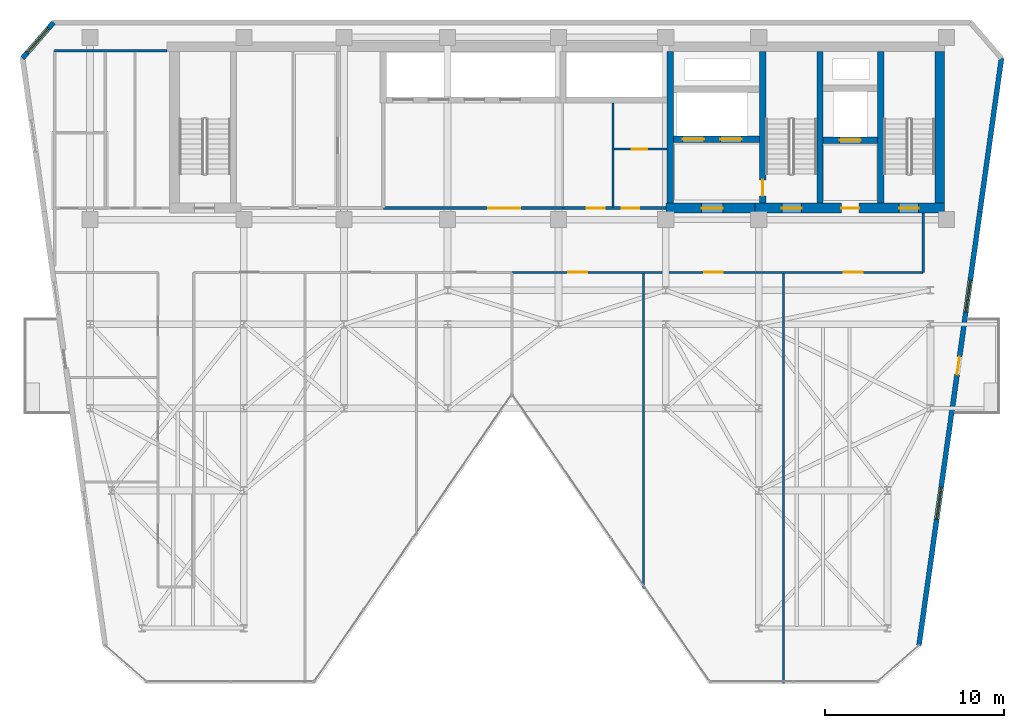
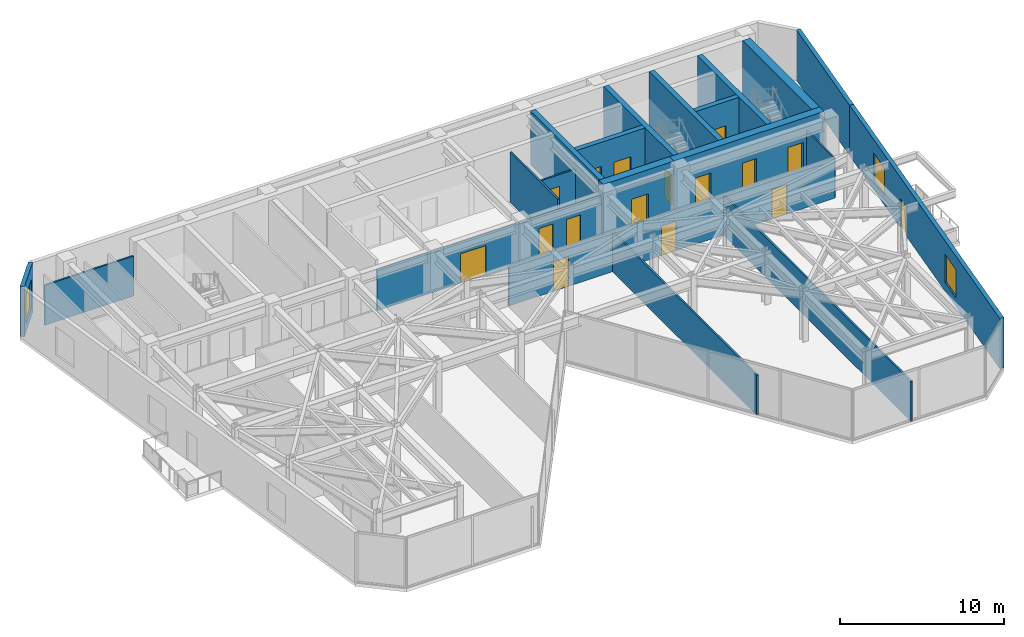
# One storey, part 17 of 21: 21 walls, 16 doors, 3 windows, 19 openings.
"""IFC4 building model written with IfcOpenShell, lengths in metres."""

from ifc_helpers import new_model, si_unit, direction, frame, frame_2d, origin, place, context, subcontext, project, spatial, rectangle, extrude, material, layer, layer_set, type_object, element, fill, save


model = new_model("IFC4")

# Units and contexts
model_context = context("Model", 3, precision=1e-05, world=origin(), true_north=direction((0.0, 1.0)))
body_context = subcontext(model_context, "Body", "Model", "MODEL_VIEW")
ifc_project = project(units=[si_unit("LENGTHUNIT", "METRE"), si_unit("AREAUNIT", "SQUARE_METRE"), si_unit("VOLUMEUNIT", "CUBIC_METRE"), si_unit("PLANEANGLEUNIT", "RADIAN"), si_unit("MASSUNIT", "GRAM", prefix="KILO")], contexts=[model_context])

# Site, building, storey
site_placement = place(None, origin())
site = spatial("IfcSite", under=ifc_project, at=site_placement, CompositionType="ELEMENT")
building_placement = place(site_placement, origin())
building = spatial("IfcBuilding", under=site, at=building_placement, Name="Kravanh Interchange Tower", CompositionType="ELEMENT")
storey_placement = place(building_placement, frame((0.0, 0.0, 192.5)))
storey = spatial("IfcBuildingStorey", under=building, at=storey_placement, Name="L46", CompositionType="ELEMENT", Elevation=192.5)

# Wall
ifc_material_1 = material(Name="Double Acoustic Gypsum Board and Mineral Wool")
ifc_layer_1 = layer(ifc_material_1, 0.1201171875)
ifc_layer_set_1 = layer_set([ifc_layer_1], Name="Acoustic Office Drywall Partition 120mm")
wall_type_1 = type_object("IfcWallType", Name="Acoustic Office Drywall Partition 120mm", PredefinedType="PARTITIONING", material=ifc_layer_set_1)
wall_1_placement = place(storey_placement, frame((47.85009765625, 38.068115234375, 0.0), z_axis=(0.0, 0.0, 1.0), x_axis=(0.0, 1.0, 0.0)))
element("IfcWall", 1, at=wall_1_placement, inside=storey, type_object=wall_type_1, Name="L46 Interior Partition 2", PredefinedType="PARTITIONING", context=body_context, shape_type="SweptSolid", body=[
    extrude(rectangle(XDim=5.798828125, YDim=0.1201171875, at=frame_2d((2.8994140625, 0.0))), origin(), (0.0, 0.0, 1.0), 3.7548828125),
])

# Wall, opening, door
wall_2_placement = place(storey_placement, frame((47.91796875, 41.300048828125, 0.0), z_axis=(0.0, 0.0, 1.0), x_axis=(1.0, 0.0, 0.0)))
wall_2 = element("IfcWall", 2, at=wall_2_placement, inside=storey, type_object=wall_type_1, Name="L46 Interior Partition 3", PredefinedType="PARTITIONING", context=body_context, shape_type="SweptSolid", body=[
    extrude(rectangle(XDim=2.948974609375, YDim=0.1201171875, at=frame_2d((1.474609375, 0.0))), origin(), (0.0, 0.0, 1.0), 2.98193359375),
])
opening_1_placement = place(wall_2_placement, frame((0.9912109375, 0.0, 0.0)))
opening_1 = element("IfcOpeningElement", 3, at=opening_1_placement, cuts=wall_2, Name="Opening D-85", PredefinedType="OPENING", context=body_context, shape_type="SweptSolid", body=[
    extrude(rectangle(XDim=0.85009765625, YDim=2.10009765625, at=frame_2d((0.425048828125, 1.050048828125))), frame((0.0, 0.070068359375, 0.0), z_axis=(0.0, -1.0, 0.0), x_axis=(1.0, 0.0, 0.0)), (0.0, 0.0, 1.0), 0.14013671875),
])
ifc_material_2 = material(Name="Engineered Teak Veneer Timber", Category="wood")
door_type_1 = type_object("IfcDoorType", Name="En-Suite Timber Door 850x2100", OperationType="NOTDEFINED", PredefinedType="DOOR", material=ifc_material_2)
door_1_placement = place(opening_1_placement, origin())
door_1 = element("IfcDoor", 4, at=door_1_placement, inside=storey, type_object=door_type_1, Name="L46 Core Supply Inner Door", OperationType="SINGLE_SWING_RIGHT", OverallHeight=2.10009765625, OverallWidth=0.85009765625, PredefinedType="DOOR", context=body_context, shape_type="SweptSolid", body=[
    extrude(rectangle(XDim=0.85009765625, YDim=2.10009765625, at=frame_2d((0.425048828125, 1.050048828125))), frame((0.0, 0.02490234375, 0.0), z_axis=(0.0, -1.0, 0.0), x_axis=(1.0, 0.0, 0.0)), (0.0, 0.0, 1.0), 0.050048828125),
])
fill(opening_1, door_1)

# Wall
wall_3_placement = place(storey_placement, frame((16.6201171875, 46.800048828125, 0.0), z_axis=(0.0, 0.0, 1.0), x_axis=(1.0, 0.0, 0.0)))
element("IfcWall", 5, at=wall_3_placement, inside=storey, type_object=wall_type_1, Name="L46 Restroom North Enclosure 11", PredefinedType="PARTITIONING", context=body_context, shape_type="SweptSolid", body=[
    extrude(rectangle(XDim=6.27978515625, YDim=0.1201171875, at=frame_2d((3.139892578125, 0.0))), origin(), (0.0, 0.0, 1.0), 2.98193359375),
])

# Wall, openings, doors
wall_4_placement = place(storey_placement, frame((42.199951171875, 34.39990234375, 0.0), z_axis=(0.0, 0.0, 1.0), x_axis=(1.0, 0.0, 0.0)))
wall_4 = element("IfcWall", 6, at=wall_4_placement, inside=storey, type_object=wall_type_1, Name="L46 Interior Partition 17", PredefinedType="PARTITIONING", context=body_context, shape_type="SweptSolid", body=[
    extrude(rectangle(XDim=23.0, YDim=0.1201171875, at=frame_2d((11.5, 0.0))), origin(), (0.0, 0.0, 1.0), 2.98193359375),
])
opening_2_placement = place(wall_4_placement, frame((3.155029296875, 0.0, 0.0)))
opening_2 = element("IfcOpeningElement", 7, at=opening_2_placement, cuts=wall_4, Name="Opening D-105", PredefinedType="OPENING", context=body_context, shape_type="SweptSolid", body=[
    extrude(rectangle(XDim=1.050048828125, YDim=2.199951171875, at=frame_2d((0.52490234375, 1.10009765625))), frame((0.0, 0.070068359375, 0.0), z_axis=(0.0, -1.0, 0.0), x_axis=(1.0, 0.0, 0.0)), (0.0, 0.0, 1.0), 0.14013671875),
])
opening_3_placement = place(wall_4_placement, frame((10.7451171875, 0.0, 0.0)))
opening_3 = element("IfcOpeningElement", 8, at=opening_3_placement, cuts=wall_4, Name="Opening D-105", PredefinedType="OPENING", context=body_context, shape_type="SweptSolid", body=[
    extrude(rectangle(XDim=1.050048828125, YDim=2.199951171875, at=frame_2d((0.52490234375, 1.10009765625))), frame((0.0, 0.070068359375, 0.0), z_axis=(0.0, -1.0, 0.0), x_axis=(1.0, 0.0, 0.0)), (0.0, 0.0, 1.0), 0.14013671875),
])
opening_4_placement = place(wall_4_placement, frame((18.56494140625, 0.0, 0.0)))
opening_4 = element("IfcOpeningElement", 9, at=opening_4_placement, cuts=wall_4, Name="Opening D-105", PredefinedType="OPENING", context=body_context, shape_type="SweptSolid", body=[
    extrude(rectangle(XDim=1.050048828125, YDim=2.199951171875, at=frame_2d((0.52490234375, 1.10009765625))), frame((0.0, 0.070068359375, 0.0), z_axis=(0.0, -1.0, 0.0), x_axis=(1.0, 0.0, 0.0)), (0.0, 0.0, 1.0), 0.14013671875),
])
ifc_material_3 = material(Name="Acoustic Glazed Oak and Aluminium", Category="aluminium")
door_type_2 = type_object("IfcDoorType", Name="Office Workplace Door 1050x2200", OperationType="NOTDEFINED", PredefinedType="DOOR", material=ifc_material_3)
door_2_placement = place(opening_2_placement, origin())
door_2 = element("IfcDoor", 10, at=door_2_placement, inside=storey, type_object=door_type_2, Name="L46 Meeting Room 11C Door", OperationType="SINGLE_SWING_LEFT", OverallHeight=2.199951171875, OverallWidth=1.050048828125, PredefinedType="DOOR", context=body_context, shape_type="SweptSolid", body=[
    extrude(rectangle(XDim=1.050048828125, YDim=2.199951171875, at=frame_2d((0.52490234375, 1.10009765625))), frame((0.0, 0.02490234375, 0.0), z_axis=(0.0, -1.0, 0.0), x_axis=(1.0, 0.0, 0.0)), (0.0, 0.0, 1.0), 0.050048828125),
])
fill(opening_2, door_2)
door_3_placement = place(opening_3_placement, origin())
door_3 = element("IfcDoor", 11, at=door_3_placement, inside=storey, type_object=door_type_2, Name="L46 Meeting Room 11D Door", OperationType="SINGLE_SWING_RIGHT", OverallHeight=2.199951171875, OverallWidth=1.050048828125, PredefinedType="DOOR", context=body_context, shape_type="SweptSolid", body=[
    extrude(rectangle(XDim=1.050048828125, YDim=2.199951171875, at=frame_2d((0.52490234375, 1.10009765625))), frame((0.0, 0.02490234375, 0.0), z_axis=(0.0, -1.0, 0.0), x_axis=(1.0, 0.0, 0.0)), (0.0, 0.0, 1.0), 0.050048828125),
])
fill(opening_3, door_3)
door_4_placement = place(opening_4_placement, origin())
door_4 = element("IfcDoor", 12, at=door_4_placement, inside=storey, type_object=door_type_2, Name="L46 East Balcony Office 11A Door", OperationType="SINGLE_SWING_LEFT", OverallHeight=2.199951171875, OverallWidth=1.050048828125, PredefinedType="DOOR", context=body_context, shape_type="SweptSolid", body=[
    extrude(rectangle(XDim=1.050048828125, YDim=2.199951171875, at=frame_2d((0.52490234375, 1.10009765625))), frame((0.0, 0.02490234375, 0.0), z_axis=(0.0, -1.0, 0.0), x_axis=(1.0, 0.0, 0.0)), (0.0, 0.0, 1.0), 0.050048828125),
])
fill(opening_4, door_4)

# Walls
wall_5_placement = place(storey_placement, frame((65.199951171875, 34.39990234375, 0.0), z_axis=(0.0, 0.0, 1.0), x_axis=(0.0, 1.0, 0.0)))
element("IfcWall", 13, at=wall_5_placement, inside=storey, type_object=wall_type_1, Name="L46 Interior Partition 19", PredefinedType="PARTITIONING", context=body_context, shape_type="SweptSolid", body=[
    extrude(rectangle(XDim=3.317138671875, YDim=0.1201171875, at=frame_2d((1.65869140625, 0.0))), origin(), (0.0, 0.0, 1.0), 2.98193359375),
])
wall_6_placement = place(storey_placement, frame((49.56005859375, 16.720947265625, 0.0), z_axis=(0.0, 0.0, 1.0), x_axis=(0.0, 1.0, 0.0)))
element("IfcWall", 14, at=wall_6_placement, inside=storey, type_object=wall_type_1, Name="L46 Interior Partition 28", PredefinedType="PARTITIONING", context=body_context, shape_type="SweptSolid", body=[
    extrude(rectangle(XDim=17.611083984375, YDim=0.1201171875, at=frame_2d((8.8056640625, 0.0))), origin(), (0.0, 0.0, 1.0), 2.98193359375),
])
wall_7_placement = place(storey_placement, frame((57.3798828125, 11.4150390625, 0.0), z_axis=(0.0, 0.0, 1.0), x_axis=(0.0, 1.0, 0.0)))
element("IfcWall", 15, at=wall_7_placement, inside=storey, type_object=wall_type_1, Name="L46 Interior Partition 29", PredefinedType="PARTITIONING", context=body_context, shape_type="SweptSolid", body=[
    extrude(rectangle(XDim=22.9169921875, YDim=0.1201171875, at=frame_2d((11.45849609375, 0.0))), origin(), (0.0, 0.0, 1.0), 2.98193359375),
])
ifc_material_4 = material(Name="Concrete C60/75", Category="concrete")
ifc_layer_2 = layer(ifc_material_4, 0.35009765625)
ifc_layer_set_2 = layer_set([ifc_layer_2], Name="Core Shear Wall Concrete C60/75 350mm")
wall_type_2 = type_object("IfcWallType", Name="Core Shear Wall Concrete C60/75 350mm", PredefinedType="SHEAR", material=ifc_layer_set_2)
for number, where, z_axis, x_axis, name in (
    (16, (62.824951171875, 38.27490234375, 0.0), (0.0, 0.0, 1.0), (0.0, 1.0, 0.0), "L46 Stair ST1 West Shear Wall"),
    (17, (59.425048828125, 38.27490234375, 0.0), (0.0, 0.0, 1.0), (0.0, 1.0, 0.0), "L46 Stair ST2 East Shear Wall"),
):
    element("IfcWall", number, at=place(storey_placement, frame(where, z_axis=z_axis, x_axis=x_axis)), inside=storey, type_object=wall_type_2, Name=name, PredefinedType="SHEAR", context=body_context, shape_type="SweptSolid", body=[
        extrude(rectangle(XDim=8.47509765625, YDim=0.35009765625, at=frame_2d((4.237548828125, 0.0))), origin(), (0.0, 0.0, 1.0), 4.0),
    ])

# Wall, opening, door
wall_8_placement = place(storey_placement, frame((56.22509765625, 38.27490234375, 0.0), z_axis=(0.0, 0.0, 1.0), x_axis=(0.0, 1.0, 0.0)))
wall_8 = element("IfcWall", 18, at=wall_8_placement, inside=storey, type_object=wall_type_2, Name="L46 Stair ST2 West Shear Wall", PredefinedType="SHEAR", context=body_context, shape_type="SweptSolid", body=[
    extrude(rectangle(XDim=8.47509765625, YDim=0.35009765625, at=frame_2d((4.237548828125, 0.0))), origin(), (0.0, 0.0, 1.0), 4.0),
])
opening_5_placement = place(wall_8_placement, frame((0.405029296875, 0.0, 0.0)))
opening_5 = element("IfcOpeningElement", 19, at=opening_5_placement, cuts=wall_8, Name="Opening D-STAIR-90", PredefinedType="OPENING", context=body_context, shape_type="SweptSolid", body=[
    extrude(rectangle(XDim=0.89990234375, YDim=2.14990234375, at=frame_2d((0.449951171875, 1.074951171875))), frame((0.0, 0.18505859375, 0.0), z_axis=(0.0, -1.0, 0.0), x_axis=(1.0, 0.0, 0.0)), (0.0, 0.0, 1.0), 0.3701171875),
])
ifc_material_5 = material(Name="Structural Steel S355", Category="steel")
door_type_3 = type_object("IfcDoorType", Name="Fire-Rated Stair Lobby Door 900x2150", OperationType="NOTDEFINED", PredefinedType="DOOR", material=ifc_material_5)
door_5_placement = place(opening_5_placement, origin())
door_5 = element("IfcDoor", 20, at=door_5_placement, inside=storey, type_object=door_type_3, Name="L46 Firefighting Lobby to Stair ST2 Door", OperationType="SINGLE_SWING_LEFT", OverallHeight=2.14990234375, OverallWidth=0.89990234375, PredefinedType="DOOR", context=body_context, shape_type="SweptSolid", body=[
    extrude(rectangle(XDim=0.89990234375, YDim=2.14990234375, at=frame_2d((0.449951171875, 1.074951171875))), frame((0.0, 0.02490234375, 0.0), z_axis=(0.0, -1.0, 0.0), x_axis=(1.0, 0.0, 0.0)), (0.0, 0.0, 1.0), 0.050048828125),
])
fill(opening_5, door_5)

wall_9_placement = place(storey_placement, frame((59.60009765625, 41.800048828125, 0.0), z_axis=(0.0, 0.0, 1.0), x_axis=(1.0, 0.0, 0.0)))
wall_9 = element("IfcWall", 21, at=wall_9_placement, inside=storey, type_object=wall_type_2, Name="L46 Service Lift Shaft South Wall", PredefinedType="SHEAR", context=body_context, shape_type="SweptSolid", body=[
    extrude(rectangle(XDim=3.0498046875, YDim=0.35009765625, at=frame_2d((1.52490234375, 0.0))), origin(), (0.0, 0.0, 1.0), 4.0),
])
opening_6_placement = place(wall_9_placement, frame((0.919921875, 0.0, 0.0)))
opening_6 = element("IfcOpeningElement", 22, at=opening_6_placement, cuts=wall_9, Name="Opening LD02", PredefinedType="OPENING", context=body_context, shape_type="SweptSolid", body=[
    extrude(rectangle(XDim=1.199951171875, YDim=2.199951171875, at=frame_2d((0.60009765625, 1.10009765625))), frame((0.0, 0.18505859375, 0.0), z_axis=(0.0, -1.0, 0.0), x_axis=(1.0, 0.0, 0.0)), (0.0, 0.0, 1.0), 0.3701171875),
])
ifc_material_6 = material(Name="Stainless Steel 316", Category="steel")
door_type_4 = type_object("IfcDoorType", Name="Fire and Service Lift Sliding Landing Door 1200x2200", OperationType="DOUBLE_DOOR_SLIDING", PredefinedType="DOOR", material=ifc_material_6)
door_6_placement = place(opening_6_placement, origin())
door_6 = element("IfcDoor", 23, at=door_6_placement, inside=storey, type_object=door_type_4, Name="L46 Lift LS-01 Landing Door", OperationType="DOUBLE_DOOR_SLIDING", OverallHeight=2.199951171875, OverallWidth=1.199951171875, PredefinedType="DOOR", context=body_context, shape_type="SweptSolid", body=[
    extrude(rectangle(XDim=1.199951171875, YDim=2.199951171875, at=frame_2d((0.60009765625, 1.10009765625))), frame((0.0, 0.02490234375, 0.0), z_axis=(0.0, -1.0, 0.0), x_axis=(1.0, 0.0, 0.0)), (0.0, 0.0, 1.0), 0.050048828125),
])
fill(opening_6, door_6)

# Wall, openings, doors
wall_10_placement = place(storey_placement, frame((51.22509765625, 41.85009765625, 0.0), z_axis=(0.0, 0.0, 1.0), x_axis=(1.0, 0.0, 0.0)))
wall_10 = element("IfcWall", 24, at=wall_10_placement, inside=storey, type_object=wall_type_2, Name="L46 Fire Lift Shaft South Wall", PredefinedType="SHEAR", context=body_context, shape_type="SweptSolid", body=[
    extrude(rectangle(XDim=4.824951171875, YDim=0.35009765625, at=frame_2d((2.41259765625, 0.0))), origin(), (0.0, 0.0, 1.0), 4.0),
])
opening_7_placement = place(wall_10_placement, frame((0.52490234375, 0.0, 0.0)))
opening_7 = element("IfcOpeningElement", 25, at=opening_7_placement, cuts=wall_10, Name="Opening LD02", PredefinedType="OPENING", context=body_context, shape_type="SweptSolid", body=[
    extrude(rectangle(XDim=1.199951171875, YDim=2.199951171875, at=frame_2d((0.60009765625, 1.10009765625))), frame((0.0, 0.18505859375, 0.0), z_axis=(0.0, -1.0, 0.0), x_axis=(1.0, 0.0, 0.0)), (0.0, 0.0, 1.0), 0.3701171875),
])
opening_8_placement = place(wall_10_placement, frame((2.625, 0.0, 0.0)))
opening_8 = element("IfcOpeningElement", 26, at=opening_8_placement, cuts=wall_10, Name="Opening LD02", PredefinedType="OPENING", context=body_context, shape_type="SweptSolid", body=[
    extrude(rectangle(XDim=1.199951171875, YDim=2.199951171875, at=frame_2d((0.60009765625, 1.10009765625))), frame((0.0, 0.18505859375, 0.0), z_axis=(0.0, -1.0, 0.0), x_axis=(1.0, 0.0, 0.0)), (0.0, 0.0, 1.0), 0.3701171875),
])
door_7_placement = place(opening_7_placement, origin())
door_7 = element("IfcDoor", 27, at=door_7_placement, inside=storey, type_object=door_type_4, Name="L46 Lift FSAE-01 Landing Door", OperationType="DOUBLE_DOOR_SLIDING", OverallHeight=2.199951171875, OverallWidth=1.199951171875, PredefinedType="DOOR", context=body_context, shape_type="SweptSolid", body=[
    extrude(rectangle(XDim=1.199951171875, YDim=2.199951171875, at=frame_2d((0.60009765625, 1.10009765625))), frame((0.0, 0.02490234375, 0.0), z_axis=(0.0, -1.0, 0.0), x_axis=(1.0, 0.0, 0.0)), (0.0, 0.0, 1.0), 0.050048828125),
])
fill(opening_7, door_7)
door_8_placement = place(opening_8_placement, origin())
door_8 = element("IfcDoor", 28, at=door_8_placement, inside=storey, type_object=door_type_4, Name="L46 Lift FSAE-02 Landing Door", OperationType="DOUBLE_DOOR_SLIDING", OverallHeight=2.199951171875, OverallWidth=1.199951171875, PredefinedType="DOOR", context=body_context, shape_type="SweptSolid", body=[
    extrude(rectangle(XDim=1.199951171875, YDim=2.199951171875, at=frame_2d((0.60009765625, 1.10009765625))), frame((0.0, 0.02490234375, 0.0), z_axis=(0.0, -1.0, 0.0), x_axis=(1.0, 0.0, 0.0)), (0.0, 0.0, 1.0), 0.050048828125),
])
fill(opening_8, door_8)

# Wall
wall_11_placement = place(storey_placement, frame((51.050048828125, 38.27490234375, 0.0), z_axis=(0.0, 0.0, 1.0), x_axis=(0.0, 1.0, 0.0)))
element("IfcWall", 29, at=wall_11_placement, inside=storey, type_object=wall_type_2, Name="L46 Firefighting Lobby West Wall", PredefinedType="SHEAR", context=body_context, shape_type="SweptSolid", body=[
    extrude(rectangle(XDim=8.47509765625, YDim=0.35009765625, at=frame_2d((4.237548828125, 0.0))), origin(), (0.0, 0.0, 1.0), 4.0),
])

# Wall, openings, doors
ifc_material_7 = material(Name="Concrete C70/85", Category="concrete")
ifc_layer_3 = layer(ifc_material_7, 0.550048828125)
ifc_layer_set_3 = layer_set([ifc_layer_3], Name="Core Shear Wall Concrete C70/85 550mm")
wall_type_3 = type_object("IfcWallType", Name="Core Shear Wall Concrete C70/85 550mm", PredefinedType="SHEAR", material=ifc_layer_set_3)
wall_12_placement = place(storey_placement, frame((55.800048828125, 38.0, 0.0), z_axis=(0.0, 0.0, 1.0), x_axis=(1.0, 0.0, 0.0)))
wall_12 = element("IfcWall", 30, at=wall_12_placement, inside=storey, type_object=wall_type_3, Name="L46 East Core South Shear Wall", PredefinedType="SHEAR", context=body_context, shape_type="SweptSolid", body=[
    extrude(rectangle(XDim=10.599853515625, YDim=0.550048828125, at=frame_2d((5.2998046875, 0.0))), origin(), (0.0, 0.0, 1.0), 4.0),
])
opening_9_placement = place(wall_12_placement, frame((1.5, 0.0, 0.0)))
opening_9 = element("IfcOpeningElement", 31, at=opening_9_placement, cuts=wall_12, Name="Opening D-STAIR-110", PredefinedType="OPENING", context=body_context, shape_type="SweptSolid", body=[
    extrude(rectangle(XDim=1.10009765625, YDim=2.199951171875, at=frame_2d((0.550048828125, 1.10009765625))), frame((0.0, 0.28515625, 0.0), z_axis=(0.0, -1.0, 0.0), x_axis=(1.0, 0.0, 0.0)), (0.0, 0.0, 1.0), 0.570068359375),
])
opening_10_placement = place(wall_12_placement, frame((4.820068359375, 0.0, 0.0)))
opening_10 = element("IfcOpeningElement", 32, at=opening_10_placement, cuts=wall_12, Name="Opening D-HOTEL-100", PredefinedType="OPENING", context=body_context, shape_type="SweptSolid", body=[
    extrude(rectangle(XDim=1.0, YDim=2.14990234375, at=frame_2d((0.5, 1.074951171875))), frame((0.0, 0.28515625, 0.0), z_axis=(0.0, -1.0, 0.0), x_axis=(1.0, 0.0, 0.0)), (0.0, 0.0, 1.0), 0.570068359375),
])
opening_11_placement = place(wall_12_placement, frame((8.050048828125, 0.0, 0.0)))
opening_11 = element("IfcOpeningElement", 33, at=opening_11_placement, cuts=wall_12, Name="Opening D-STAIR-110", PredefinedType="OPENING", context=body_context, shape_type="SweptSolid", body=[
    extrude(rectangle(XDim=1.10009765625, YDim=2.199951171875, at=frame_2d((0.550048828125, 1.10009765625))), frame((0.0, 0.28515625, 0.0), z_axis=(0.0, -1.0, 0.0), x_axis=(1.0, 0.0, 0.0)), (0.0, 0.0, 1.0), 0.570068359375),
])
ifc_material_8 = material(Name="Structural Steel S355", Category="steel")
door_type_5 = type_object("IfcDoorType", Name="Fire-Rated Exit Stair Door 1100x2200", OperationType="NOTDEFINED", PredefinedType="DOOR", material=ifc_material_8)
door_9_placement = place(opening_9_placement, origin())
door_9 = element("IfcDoor", 34, at=door_9_placement, inside=storey, type_object=door_type_5, Name="L46 Exit Stair ST2 Door", OperationType="SINGLE_SWING_RIGHT", OverallHeight=2.199951171875, OverallWidth=1.10009765625, PredefinedType="DOOR", context=body_context, shape_type="SweptSolid", body=[
    extrude(rectangle(XDim=1.10009765625, YDim=2.199951171875, at=frame_2d((0.550048828125, 1.10009765625))), frame((0.0, 0.02490234375, 0.0), z_axis=(0.0, -1.0, 0.0), x_axis=(1.0, 0.0, 0.0)), (0.0, 0.0, 1.0), 0.050048828125),
])
fill(opening_9, door_9)
door_10_placement = place(opening_11_placement, origin())
door_10 = element("IfcDoor", 35, at=door_10_placement, inside=storey, type_object=door_type_5, Name="L46 Exit Stair ST1 Door", OperationType="SINGLE_SWING_RIGHT", OverallHeight=2.199951171875, OverallWidth=1.10009765625, PredefinedType="DOOR", context=body_context, shape_type="SweptSolid", body=[
    extrude(rectangle(XDim=1.10009765625, YDim=2.199951171875, at=frame_2d((0.550048828125, 1.10009765625))), frame((0.0, 0.02490234375, 0.0), z_axis=(0.0, -1.0, 0.0), x_axis=(1.0, 0.0, 0.0)), (0.0, 0.0, 1.0), 0.050048828125),
])
fill(opening_11, door_10)
ifc_material_9 = material(Name="Fire-Rated Solid Timber Leaf", Category="wood")
door_type_6 = type_object("IfcDoorType", Name="Fire-Rated Suite Entrance Door 1000x2150", OperationType="NOTDEFINED", PredefinedType="DOOR", material=ifc_material_9)
door_11_placement = place(opening_10_placement, origin())
door_11 = element("IfcDoor", 36, at=door_11_placement, inside=storey, type_object=door_type_6, Name="L46 Service Lift Lobby Door", OperationType="SINGLE_SWING_RIGHT", OverallHeight=2.14990234375, OverallWidth=1.0, PredefinedType="DOOR", context=body_context, shape_type="SweptSolid", body=[
    extrude(rectangle(XDim=1.0, YDim=2.14990234375, at=frame_2d((0.5, 1.074951171875))), frame((0.0, 0.02490234375, 0.0), z_axis=(0.0, -1.0, 0.0), x_axis=(1.0, 0.0, 0.0)), (0.0, 0.0, 1.0), 0.050048828125),
])
fill(opening_10, door_11)

# Wall
wall_13_placement = place(storey_placement, frame((66.125, 38.27490234375, 0.0), z_axis=(0.0, 0.0, 1.0), x_axis=(0.0, 1.0, 0.0)))
element("IfcWall", 37, at=wall_13_placement, inside=storey, type_object=wall_type_3, Name="L46 Stair ST1 East Shear Wall", PredefinedType="SHEAR", context=body_context, shape_type="SweptSolid", body=[
    extrude(rectangle(XDim=8.47509765625, YDim=0.550048828125, at=frame_2d((4.237548828125, 0.0))), origin(), (0.0, 0.0, 1.0), 4.0),
])

# Wall, opening, door
wall_14_placement = place(storey_placement, frame((50.800048828125, 38.0, 0.0), z_axis=(0.0, 0.0, 1.0), x_axis=(1.0, 0.0, 0.0)))
wall_14 = element("IfcWall", 38, at=wall_14_placement, inside=storey, type_object=wall_type_3, Name="L46 Firefighting Lobby South Shear Wall", PredefinedType="SHEAR", context=body_context, shape_type="SweptSolid", body=[
    extrude(rectangle(XDim=5.0, YDim=0.550048828125, at=frame_2d((2.5, 0.0))), origin(), (0.0, 0.0, 1.0), 4.0),
])
opening_12_placement = place(wall_14_placement, frame((2.0, 0.0, 0.0)))
opening_12 = element("IfcOpeningElement", 39, at=opening_12_placement, cuts=wall_14, Name="Opening D-FSAE-120", PredefinedType="OPENING", context=body_context, shape_type="SweptSolid", body=[
    extrude(rectangle(XDim=1.199951171875, YDim=2.199951171875, at=frame_2d((0.60009765625, 1.10009765625))), frame((0.0, 0.28515625, 0.0), z_axis=(0.0, -1.0, 0.0), x_axis=(1.0, 0.0, 0.0)), (0.0, 0.0, 1.0), 0.570068359375),
])
ifc_material_10 = material(Name="Structural Steel S355", Category="steel")
door_type_7 = type_object("IfcDoorType", Name="Fire-Rated Refuge and FSAE Door 1200x2200", OperationType="NOTDEFINED", PredefinedType="DOOR", material=ifc_material_10)
door_12_placement = place(opening_12_placement, origin())
door_12 = element("IfcDoor", 40, at=door_12_placement, inside=storey, type_object=door_type_7, Name="L46 Firefighting Lobby Corridor Door", OperationType="SINGLE_SWING_RIGHT", OverallHeight=2.199951171875, OverallWidth=1.199951171875, PredefinedType="DOOR", context=body_context, shape_type="SweptSolid", body=[
    extrude(rectangle(XDim=1.199951171875, YDim=2.199951171875, at=frame_2d((0.60009765625, 1.10009765625))), frame((0.0, 0.02490234375, 0.0), z_axis=(0.0, -1.0, 0.0), x_axis=(1.0, 0.0, 0.0)), (0.0, 0.0, 1.0), 0.050048828125),
])
fill(opening_12, door_12)

# Wall, opening, window
ifc_material_11 = material(Name="Insulated Precast Concrete C40/50 with Bronze Cladding", Category="concrete")
ifc_layer_4 = layer(ifc_material_11, 0.280029296875)
ifc_layer_set_4 = layer_set([ifc_layer_4], Name="Exterior Insulated Concrete C40/50 Bronze Spandrel Wall 280mm")
wall_type_4 = type_object("IfcWallType", Name="Exterior Insulated Concrete C40/50 Bronze Spandrel Wall 280mm", PredefinedType="STANDARD", material=ifc_layer_set_4)
wall_15_placement = place(storey_placement, frame((14.818603515625, 46.3828125, 0.0), z_axis=(0.0, 0.0, 1.0), x_axis=(0.656071351282, 0.754698868442, 0.0)))
wall_15 = element("IfcWall", 41, at=wall_15_placement, inside=storey, type_object=wall_type_4, Name="L46 Exterior Wall 3", PredefinedType="STANDARD", context=body_context, shape_type="SweptSolid", body=[
    extrude(rectangle(XDim=2.646240234375, YDim=0.280029296875, at=frame_2d((1.3232421875, 0.0))), origin(), (0.0, 0.0, 1.0), 3.7548828125),
])
opening_13_placement = place(wall_15_placement, frame((0.41552734375, 0.0, 0.64990234375)))
opening_13 = element("IfcOpeningElement", 42, at=opening_13_placement, cuts=wall_15, Name="Opening WN-180X210", PredefinedType="OPENING", context=body_context, shape_type="SweptSolid", body=[
    extrude(rectangle(XDim=1.800048828125, YDim=2.10009765625, at=frame_2d((0.89990234375, 1.050048828125))), frame((0.0, 0.14990234375, 0.0), z_axis=(0.0, -1.0, 0.0), x_axis=(1.0, 0.0, 0.0)), (0.0, 0.0, 1.0), 0.300048828125),
])
ifc_material_12 = material(Name="Thermally Broken Bronze Aluminium and Low-E Glass", Category="aluminium")
window_type = type_object("IfcWindowType", Name="Tower Pier Window 1800x2100", PartitioningType="SINGLE_PANEL", PredefinedType="WINDOW", material=ifc_material_12)
window_1_placement = place(opening_13_placement, origin())
window_1 = element("IfcWindow", 43, at=window_1_placement, inside=storey, type_object=window_type, Name="L46 Corner Window 3", OverallHeight=2.10009765625, OverallWidth=1.800048828125, PartitioningType="SINGLE_PANEL", PredefinedType="WINDOW", context=body_context, shape_type="SweptSolid", body=[
    extrude(rectangle(XDim=1.800048828125, YDim=2.10009765625, at=frame_2d((0.89990234375, 1.050048828125))), frame((0.0, 0.030029296875, 0.0), z_axis=(0.0, -1.0, 0.0), x_axis=(1.0, 0.0, 0.0)), (0.0, 0.0, 1.0), 0.06005859375),
])
fill(opening_13, window_1)

# Wall
wall_16_placement = place(storey_placement, frame((69.581298828125, 46.3828125, 0.0), z_axis=(0.0, 0.0, 1.0), x_axis=(-0.13918102754, -0.990266954701, 0.0)))
element("IfcWall", 44, at=wall_16_placement, inside=storey, type_object=wall_type_4, Name="L46 Exterior Wall 6", PredefinedType="STANDARD", context=body_context, shape_type="SweptSolid", body=[
    extrude(rectangle(XDim=8.667236328125, YDim=0.280029296875, at=frame_2d((4.33349609375, 0.0))), origin(), (0.0, 0.0, 1.0), 3.7548828125),
])

# Wall, openings, door, windows
wall_17_placement = place(storey_placement, frame((68.375, 37.800048828125, 0.0), z_axis=(0.0, 0.0, 1.0), x_axis=(-0.139173290738, -0.99026804207, 0.0)))
wall_17 = element("IfcWall", 45, at=wall_17_placement, inside=storey, type_object=wall_type_4, Name="L46 Exterior Wall 7", PredefinedType="STANDARD", context=body_context, shape_type="SweptSolid", body=[
    extrude(rectangle(XDim=24.497802734375, YDim=0.280029296875, at=frame_2d((12.2490234375, 0.0))), origin(), (0.0, 0.0, 1.0), 3.7548828125),
])
opening_14_placement = place(wall_17_placement, frame((8.197998046875, 0.0, 0.0)))
opening_14 = element("IfcOpeningElement", 46, at=opening_14_placement, cuts=wall_17, Name="Opening ED-BAL100", PredefinedType="OPENING", context=body_context, shape_type="SweptSolid", body=[
    extrude(rectangle(XDim=1.0, YDim=2.14990234375, at=frame_2d((0.5, 1.074951171875))), frame((0.0, 0.14990234375, 0.0), z_axis=(0.0, -1.0, 0.0), x_axis=(1.0, 0.0, 0.0)), (0.0, 0.0, 1.0), 0.300048828125),
])
opening_15_placement = place(wall_17_placement, frame((3.869140625, 0.0, 0.64990234375)))
opening_15 = element("IfcOpeningElement", 47, at=opening_15_placement, cuts=wall_17, Name="Opening WN-180X210", PredefinedType="OPENING", context=body_context, shape_type="SweptSolid", body=[
    extrude(rectangle(XDim=1.800048828125, YDim=2.10009765625, at=frame_2d((0.89990234375, 1.050048828125))), frame((0.0, 0.14990234375, 0.0), z_axis=(0.0, -1.0, 0.0), x_axis=(1.0, 0.0, 0.0)), (0.0, 0.0, 1.0), 0.300048828125),
])
opening_16_placement = place(wall_17_placement, frame((15.5712890625, 0.0, 0.64990234375)))
opening_16 = element("IfcOpeningElement", 48, at=opening_16_placement, cuts=wall_17, Name="Opening WN-180X210", PredefinedType="OPENING", context=body_context, shape_type="SweptSolid", body=[
    extrude(rectangle(XDim=1.800048828125, YDim=2.10009765625, at=frame_2d((0.89990234375, 1.050048828125))), frame((0.0, 0.14990234375, 0.0), z_axis=(0.0, -1.0, 0.0), x_axis=(1.0, 0.0, 0.0)), (0.0, 0.0, 1.0), 0.300048828125),
])
ifc_material_13 = material(Name="Thermally Broken Bronze Aluminium and Laminated Glass", Category="aluminium")
door_type_8 = type_object("IfcDoorType", Name="Balcony Glazed Door 1000x2150", OperationType="NOTDEFINED", PredefinedType="DOOR", material=ifc_material_13)
door_13_placement = place(opening_14_placement, origin())
door_13 = element("IfcDoor", 49, at=door_13_placement, inside=storey, type_object=door_type_8, Name="L46 E Tree Balcony Access Door", OperationType="SINGLE_SWING_RIGHT", OverallHeight=2.14990234375, OverallWidth=1.0, PredefinedType="DOOR", context=body_context, shape_type="SweptSolid", body=[
    extrude(rectangle(XDim=1.0, YDim=2.14990234375, at=frame_2d((0.5, 1.074951171875))), frame((0.0, 0.02490234375, 0.0), z_axis=(0.0, -1.0, 0.0), x_axis=(1.0, 0.0, 0.0)), (0.0, 0.0, 1.0), 0.050048828125),
])
fill(opening_14, door_13)
window_2_placement = place(opening_15_placement, origin())
window_2 = element("IfcWindow", 50, at=window_2_placement, inside=storey, type_object=window_type, Name="L46 Facade Window 7A", OverallHeight=2.10009765625, OverallWidth=1.800048828125, PartitioningType="SINGLE_PANEL", PredefinedType="WINDOW", context=body_context, shape_type="SweptSolid", body=[
    extrude(rectangle(XDim=1.800048828125, YDim=2.10009765625, at=frame_2d((0.89990234375, 1.050048828125))), frame((0.0, 0.030029296875, 0.0), z_axis=(0.0, -1.0, 0.0), x_axis=(1.0, 0.0, 0.0)), (0.0, 0.0, 1.0), 0.06005859375),
])
fill(opening_15, window_2)
window_3_placement = place(opening_16_placement, origin())
window_3 = element("IfcWindow", 51, at=window_3_placement, inside=storey, type_object=window_type, Name="L46 Facade Window 7B", OverallHeight=2.10009765625, OverallWidth=1.800048828125, PartitioningType="SINGLE_PANEL", PredefinedType="WINDOW", context=body_context, shape_type="SweptSolid", body=[
    extrude(rectangle(XDim=1.800048828125, YDim=2.10009765625, at=frame_2d((0.89990234375, 1.050048828125))), frame((0.0, 0.030029296875, 0.0), z_axis=(0.0, -1.0, 0.0), x_axis=(1.0, 0.0, 0.0)), (0.0, 0.0, 1.0), 0.06005859375),
])
fill(opening_16, window_3)

# Wall, openings, doors
ifc_material_14 = material(Name="Autoclaved Aerated Concrete C30/37 Blockwork", Category="masonry")
ifc_layer_5 = layer(ifc_material_14, 0.179931640625)
ifc_layer_set_5 = layer_set([ifc_layer_5], Name="Fire-Rated Lobby and Corridor Wall Concrete C30/37 180mm")
wall_type_5 = type_object("IfcWallType", Name="Fire-Rated Lobby and Corridor Wall Concrete C30/37 180mm", PredefinedType="STANDARD", material=ifc_layer_set_5)
wall_18_placement = place(storey_placement, frame((45.050048828125, 38.0, 0.0), z_axis=(0.0, 0.0, 1.0), x_axis=(1.0, 0.0, 0.0)))
wall_18 = element("IfcWall", 52, at=wall_18_placement, inside=storey, type_object=wall_type_5, Name="L46 Core South Enclosure 1", PredefinedType="STANDARD", context=body_context, shape_type="SweptSolid", body=[
    extrude(rectangle(XDim=5.75, YDim=0.179931640625, at=frame_2d((2.875, 0.0))), origin(), (0.0, 0.0, 1.0), 2.98193359375),
])
opening_17_placement = place(wall_18_placement, frame((1.324951171875, 0.0, 0.0)))
opening_17 = element("IfcOpeningElement", 53, at=opening_17_placement, cuts=wall_18, Name="Opening D-HOTEL-100", PredefinedType="OPENING", context=body_context, shape_type="SweptSolid", body=[
    extrude(rectangle(XDim=1.0, YDim=2.14990234375, at=frame_2d((0.5, 1.074951171875))), frame((0.0, 0.10009765625, 0.0), z_axis=(0.0, -1.0, 0.0), x_axis=(1.0, 0.0, 0.0)), (0.0, 0.0, 1.0), 0.199951171875),
])
opening_18_placement = place(wall_18_placement, frame((3.27490234375, 0.0, 0.0)))
opening_18 = element("IfcOpeningElement", 54, at=opening_18_placement, cuts=wall_18, Name="Opening D-HOTEL-100", PredefinedType="OPENING", context=body_context, shape_type="SweptSolid", body=[
    extrude(rectangle(XDim=1.0, YDim=2.14990234375, at=frame_2d((0.5, 1.074951171875))), frame((0.0, 0.10009765625, 0.0), z_axis=(0.0, -1.0, 0.0), x_axis=(1.0, 0.0, 0.0)), (0.0, 0.0, 1.0), 0.199951171875),
])
door_14_placement = place(opening_17_placement, origin())
door_14 = element("IfcDoor", 55, at=door_14_placement, inside=storey, type_object=door_type_6, Name="L46 Core Metering Door", OperationType="SINGLE_SWING_RIGHT", OverallHeight=2.14990234375, OverallWidth=1.0, PredefinedType="DOOR", context=body_context, shape_type="SweptSolid", body=[
    extrude(rectangle(XDim=1.0, YDim=2.14990234375, at=frame_2d((0.5, 1.074951171875))), frame((0.0, 0.02490234375, 0.0), z_axis=(0.0, -1.0, 0.0), x_axis=(1.0, 0.0, 0.0)), (0.0, 0.0, 1.0), 0.050048828125),
])
fill(opening_17, door_14)
door_15_placement = place(opening_18_placement, origin())
door_15 = element("IfcDoor", 56, at=door_15_placement, inside=storey, type_object=door_type_6, Name="L46 Core Copy Room Door", OperationType="SINGLE_SWING_LEFT", OverallHeight=2.14990234375, OverallWidth=1.0, PredefinedType="DOOR", context=body_context, shape_type="SweptSolid", body=[
    extrude(rectangle(XDim=1.0, YDim=2.14990234375, at=frame_2d((0.5, 1.074951171875))), frame((0.0, 0.02490234375, 0.0), z_axis=(0.0, -1.0, 0.0), x_axis=(1.0, 0.0, 0.0)), (0.0, 0.0, 1.0), 0.050048828125),
])
fill(opening_18, door_15)

# Wall, opening, door
wall_19_placement = place(storey_placement, frame((35.0, 38.0, 0.0), z_axis=(0.0, 0.0, 1.0), x_axis=(1.0, 0.0, 0.0)))
wall_19 = element("IfcWall", 57, at=wall_19_placement, inside=storey, type_object=wall_type_5, Name="L46 Interior Partition 8", PredefinedType="STANDARD", context=body_context, shape_type="SweptSolid", body=[
    extrude(rectangle(XDim=10.050048828125, YDim=0.179931640625, at=frame_2d((5.02490234375, 0.0))), origin(), (0.0, 0.0, 1.0), 2.98193359375),
])
opening_19_placement = place(wall_19_placement, frame((5.85791015625, 0.0, 0.0)))
opening_19 = element("IfcOpeningElement", 58, at=opening_19_placement, cuts=wall_19, Name="Opening DBL-180", PredefinedType="OPENING", context=body_context, shape_type="SweptSolid", body=[
    extrude(rectangle(XDim=1.800048828125, YDim=2.199951171875, at=frame_2d((0.89990234375, 1.10009765625))), frame((0.0, 0.10009765625, 0.0), z_axis=(0.0, -1.0, 0.0), x_axis=(1.0, 0.0, 0.0)), (0.0, 0.0, 1.0), 0.199951171875),
])
ifc_material_15 = material(Name="Structural Steel S355", Category="steel")
door_type_9 = type_object("IfcDoorType", Name="Lift Lobby Double Fire Door 1800x2200", OperationType="DOUBLE_DOOR_SINGLE_SWING", PredefinedType="DOOR", material=ifc_material_15)
door_16_placement = place(opening_19_placement, origin())
door_16 = element("IfcDoor", 59, at=door_16_placement, inside=storey, type_object=door_type_9, Name="L46 Mid-Rise Lift Lobby Door", OperationType="DOUBLE_DOOR_SINGLE_SWING", OverallHeight=2.199951171875, OverallWidth=1.800048828125, PredefinedType="DOOR", context=body_context, shape_type="SweptSolid", body=[
    extrude(rectangle(XDim=1.800048828125, YDim=2.199951171875, at=frame_2d((0.89990234375, 1.10009765625))), frame((0.0, 0.02490234375, 0.0), z_axis=(0.0, -1.0, 0.0), x_axis=(1.0, 0.0, 0.0)), (0.0, 0.0, 1.0), 0.050048828125),
])
fill(opening_19, door_16)

save(model, "model.ifc")
